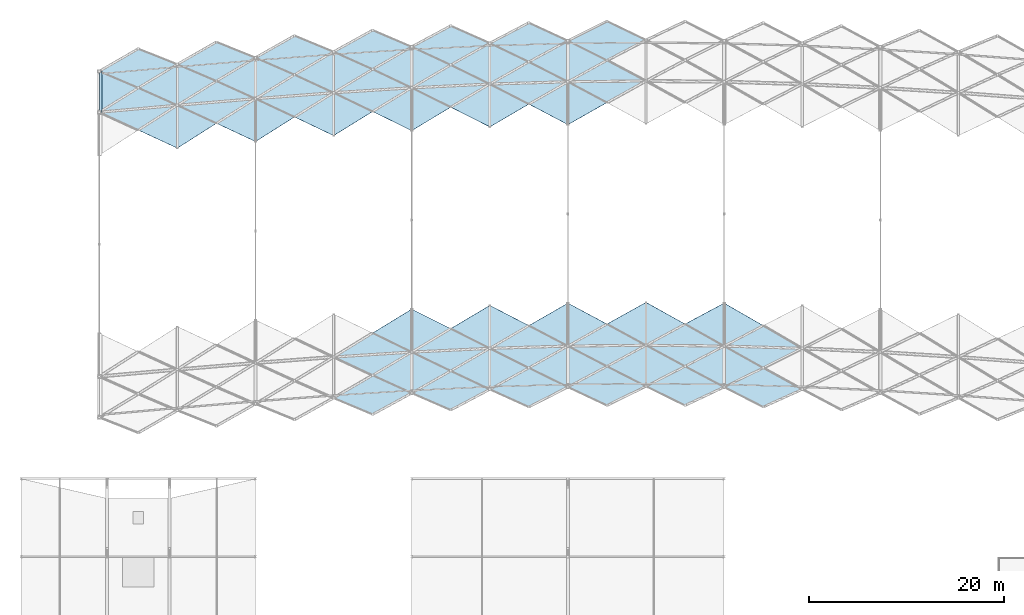
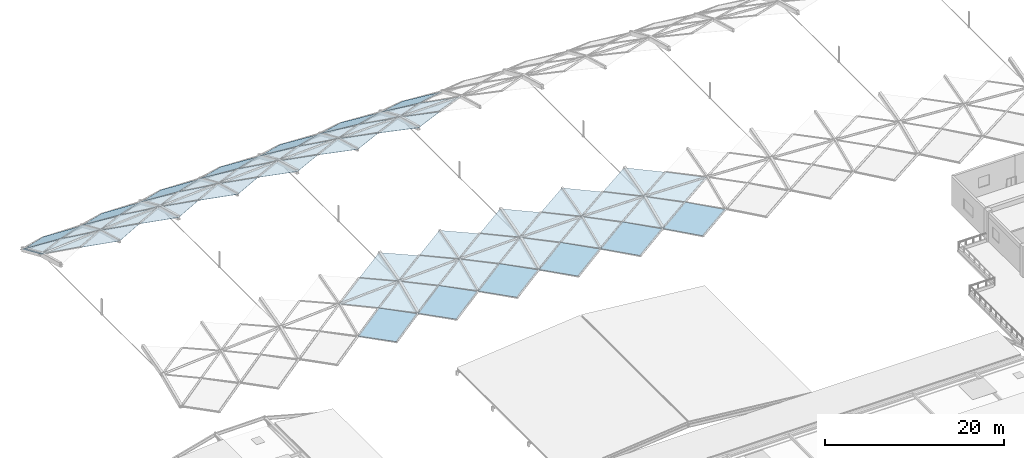
# One storey, part 32 of 54: 50 plates.
"""IFC4 building model written with IfcOpenShell, lengths in metres."""

import ifcopenshell
import ifcopenshell.guid

model = None  # the IFC model being written
_history = None  # IfcOwnerHistory: only IFC2X3 demands one
_inside = {}  # id of a spatial element -> (the spatial element, [elements in it])
_under = {}  # id of a project, library or spatial element -> (it, [spatial elements below it])
_declared = {}  # id of a project -> (the project, [libraries it declares])
_typed = {}  # id of a type object -> (the type object, [elements of that type])
_made_of = {}  # id of a material, layer set ... -> (it, [elements and type objects made of it])


def new_model(schema):
    """Start an empty IFC model of exactly this schema.

    Asked for "IFC4X3", IfcOpenShell would pick the latest addendum, in which some entities
    have other attributes; the version numbers below select the first issue.
    IFC2X3 requires an IfcOwnerHistory on every rooted entity: one is made here for all.
    """
    global model, _history
    if schema == "IFC4X3":
        model = ifcopenshell.file(schema_version=(4, 3, 0, 0))
    else:
        model = ifcopenshell.file(schema=schema)
    _inside.clear()
    _under.clear()
    _declared.clear()
    _typed.clear()
    _made_of.clear()
    _history = None
    if model.schema == "IFC2X3":
        org = make("IfcOrganization", Name="unknown")
        user = make(
            "IfcPersonAndOrganization",
            ThePerson=make("IfcPerson", FamilyName="unknown"),
            TheOrganization=org,
        )
        app = make(
            "IfcApplication",
            ApplicationDeveloper=org,
            Version="unknown",
            ApplicationFullName="unknown",
            ApplicationIdentifier="unknown",
        )
        _history = make(
            "IfcOwnerHistory",
            OwningUser=user,
            OwningApplication=app,
            ChangeAction="ADDED",
            CreationDate=0,
        )
    return model


def make(cls, **values):
    """One entity of the class cls with the attributes given. An attribute that is None is left unset."""
    return model.create_entity(
        cls, **{name: value for name, value in values.items() if value is not None}
    )


def rooted(cls, **values):
    """An entity with a GlobalId (a new one), such as an element, a storey or a relation."""
    return make(cls, GlobalId=ifcopenshell.guid.new(), OwnerHistory=_history, **values)


def si_unit(unit_type, name, prefix=None):
    """IfcSIUnit, for example si_unit("LENGTHUNIT", "METRE", prefix="MILLI")."""
    return make("IfcSIUnit", UnitType=unit_type, Prefix=prefix, Name=name)


def assignment(units):
    """IfcUnitAssignment: the units of a project."""
    return None if units is None else make("IfcUnitAssignment", Units=units)


def point(xyz):
    """IfcCartesianPoint."""
    return None if xyz is None else make("IfcCartesianPoint", Coordinates=xyz)


def direction(xyz):
    """IfcDirection."""
    return None if xyz is None else make("IfcDirection", DirectionRatios=xyz)


def frame(location, z_axis=None, x_axis=None):
    """IfcAxis2Placement3D, a coordinate frame: its origin and axes. An axis left out is left unset."""
    return make(
        "IfcAxis2Placement3D",
        Location=point(location),
        Axis=direction(z_axis),
        RefDirection=direction(x_axis),
    )


def origin():
    """The frame at (0, 0, 0) with its axes left unset."""
    return frame((0.0, 0.0, 0.0))


def place(relative_to, where):
    """IfcLocalPlacement: puts the frame where relative to a parent placement (None: the world)."""
    return make(
        "IfcLocalPlacement", PlacementRelTo=relative_to, RelativePlacement=where
    )


def context(
    kind, dimensions, precision=None, world=None, true_north=None, identifier=None
):
    """IfcGeometricRepresentationContext, for example the 3D "Model" context."""
    return make(
        "IfcGeometricRepresentationContext",
        ContextIdentifier=identifier,
        ContextType=kind,
        CoordinateSpaceDimension=dimensions,
        Precision=precision,
        WorldCoordinateSystem=world,
        TrueNorth=true_north,
    )


def subcontext(parent, identifier, kind, view, scale=None):
    """IfcGeometricRepresentationSubContext, for example "Body" below "Model"."""
    return make(
        "IfcGeometricRepresentationSubContext",
        ContextIdentifier=identifier,
        ContextType=kind,
        ParentContext=parent,
        TargetScale=scale,
        TargetView=view,
    )


def project(units=None, contexts=None):
    """IfcProject with its units and contexts."""
    return rooted(
        "IfcProject",
        Name="project",
        RepresentationContexts=contexts,
        UnitsInContext=assignment(units),
    )


def spatial(cls, under=None, at=None, **own):
    """A site, building, storey or space (cls), placed at a placement, below another one or the project."""
    s = rooted(cls, ObjectPlacement=at, **own)
    if under is not None:
        _under.setdefault(under.id(), (under, []))[1].append(s)
    return s


def polyline(points):
    """IfcPolyline through the points."""
    return make("IfcPolyline", Points=[point(p) for p in points])


def outline(outer, holes=None, kind="AREA"):
    """IfcArbitraryClosedProfileDef: a profile drawn as a closed curve; with holes, ...WithVoids."""
    if holes is None:
        return make("IfcArbitraryClosedProfileDef", ProfileType=kind, OuterCurve=outer)
    return make(
        "IfcArbitraryProfileDefWithVoids",
        ProfileType=kind,
        OuterCurve=outer,
        InnerCurves=holes,
    )


def extrude(swept, where, along, depth):
    """IfcExtrudedAreaSolid: the profile swept, set in the frame where, extruded along a direction by depth."""
    return make(
        "IfcExtrudedAreaSolid",
        SweptArea=swept,
        Position=where,
        ExtrudedDirection=direction(along),
        Depth=depth,
    )


def shape(context_of_items, identifier, shape_type, items):
    """IfcShapeRepresentation: the items that make up one representation, for example the "Body"."""
    return make(
        "IfcShapeRepresentation",
        ContextOfItems=context_of_items,
        RepresentationIdentifier=identifier,
        RepresentationType=shape_type,
        Items=items,
    )


def material(Name=None, Category=None):
    """IfcMaterial."""
    return make("IfcMaterial", Name=Name, Category=Category)


def layer(
    of_material, thickness, ventilated=None, Name=None, Category=None, Priority=None
):
    """IfcMaterialLayer: one layer of a wall or slab, of a material (None: an air gap)."""
    return make(
        "IfcMaterialLayer",
        Material=of_material,
        LayerThickness=thickness,
        IsVentilated=ventilated,
        Name=Name,
        Category=Category,
        Priority=Priority,
    )


def layer_set(layers, Name=None):
    """IfcMaterialLayerSet."""
    return make("IfcMaterialLayerSet", MaterialLayers=layers, LayerSetName=Name)


def made_of(thing, what):
    """Note that an element or type object is made of a material, layer set ...; save() writes the relation."""
    if what is not None:
        _made_of.setdefault(what.id(), (what, []))[1].append(thing)
    return thing


def type_object(cls, material=None, **own):
    """A type object (cls), such as IfcWallType, which elements share."""
    return made_of(rooted(cls, **own), material)


def element(
    cls,
    number,
    at=None,
    inside=None,
    cuts=None,
    type_object=None,
    material=None,
    context=None,
    identifier="Body",
    shape_type=None,
    held_by="IfcProductDefinitionShape",
    body=None,
    shapes=None,
    **own,
):
    """One element of the class cls, such as IfcWall. Its Tag is "e" and its number.

    at: its placement. inside: the storey or other place that contains it. cuts: it is an
    opening in that element (IfcRelVoidsElement). A single representation is given by context,
    identifier, shape_type and body (its items); several are given by shapes. held_by: the class
    of the entity that holds the representations. save() writes the other relations.
    """
    e = rooted(cls, Tag="e%d" % number, ObjectPlacement=at, **own)
    if body is not None:
        shapes = [shape(context, identifier, shape_type, body)]
    if shapes is not None:
        e.Representation = make(held_by, Representations=shapes)
    if inside is not None:
        _inside.setdefault(inside.id(), (inside, []))[1].append(e)
    if cuts is not None:
        rooted(
            "IfcRelVoidsElement", RelatingBuildingElement=cuts, RelatedOpeningElement=e
        )
    if type_object is not None:
        _typed.setdefault(type_object.id(), (type_object, []))[1].append(e)
    return made_of(e, material)


def aggregate(whole, parts):
    """IfcRelAggregates: a whole, such as a stair, and the parts it consists of."""
    return rooted("IfcRelAggregates", RelatingObject=whole, RelatedObjects=parts)


def save(model, path):
    """Write the relations noted so far, then the file.

    IfcRelAggregates (storeys below a building ...), IfcRelContainedInSpatialStructure (elements
    in a storey), IfcRelDefinesByType, IfcRelAssociatesMaterial and IfcRelDeclares: one each for
    every whole, place, type object, material and project.
    """
    for whole, parts in _under.values():
        aggregate(whole, parts)
    for where, things in _inside.values():
        rooted(
            "IfcRelContainedInSpatialStructure",
            RelatedElements=things,
            RelatingStructure=where,
        )
    for kind, things in _typed.values():
        rooted("IfcRelDefinesByType", RelatedObjects=things, RelatingType=kind)
    for what, things in _made_of.values():
        rooted("IfcRelAssociatesMaterial", RelatedObjects=things, RelatingMaterial=what)
    for by, libraries in _declared.values():
        rooted("IfcRelDeclares", RelatingContext=by, RelatedDefinitions=libraries)
    model.write(path)


model = new_model("IFC4")

# Units and contexts
model_context = context("Model", 3, precision=1e-05, world=origin(), true_north=direction((0.0, 1.0)))
body_context = subcontext(model_context, "Body", "Model", "MODEL_VIEW")
ifc_project = project(units=[si_unit("LENGTHUNIT", "METRE"), si_unit("AREAUNIT", "SQUARE_METRE"), si_unit("VOLUMEUNIT", "CUBIC_METRE"), si_unit("PLANEANGLEUNIT", "RADIAN"), si_unit("MASSUNIT", "GRAM", prefix="KILO")], contexts=[model_context])

# Site, building, storey
site_placement = place(None, origin())
site = spatial("IfcSite", under=ifc_project, at=site_placement, CompositionType="ELEMENT")
building_placement = place(site_placement, origin())
building = spatial("IfcBuilding", under=site, at=building_placement, Name="Kenh Van Central Station", CompositionType="ELEMENT")
storey_placement = place(building_placement, frame((0.0, 0.0, 15.0)))
storey = spatial("IfcBuildingStorey", under=building, at=storey_placement, Name="L03", CompositionType="ELEMENT", Elevation=15.0)

# Plates
ifc_material_1 = material(Name="White fluoropolymer structural steel S355", Category="steel")
ifc_layer_1 = layer(ifc_material_1, 0.010009765625, Name="White fluoropolymer structural steel S355")
ifc_layer_set_1 = layer_set([ifc_layer_1], Name="White fluoropolymer structural steel S355")
plate_type_1 = type_object("IfcPlateType", Name="PLT-FASCIA-SH2", PredefinedType="SHEET", material=ifc_layer_set_1)
plate_1_placement = place(storey_placement, frame((32.0, 101.5341796875, 4.069091796875), z_axis=(0.0, 0.401679525559, 0.91578030048), x_axis=(1.0, 0.0, 0.0)))
element("IfcPlate", 1, at=plate_1_placement, inside=storey, type_object=plate_type_1, Name="Vault portal arch trim plate 10", PredefinedType="SHEET", context=body_context, shape_type="SweptSolid", body=[
    extrude(outline(polyline([(0.0, 0.0), (0.260009765625, 0.0), (0.260009765625, 4.5822006220298945), (0.0, 4.5822006220298945), (0.0, 0.0)])), origin(), (0.0, 0.0, -1.0), 0.010009765625),
])
ifc_material_2 = material(Name="Double-glazed low-E laminated solar glass", Category="glass")
ifc_layer_2 = layer(ifc_material_2, 0.02197265625, Name="Double-glazed low-E laminated solar glass")
ifc_layer_set_2 = layer_set([ifc_layer_2], Name="Double-glazed low-E laminated solar glass")
plate_type_2 = type_object("IfcPlateType", Name="PLT-VAULT-GLZ1", PredefinedType="SHEET", material=ifc_layer_set_2)
plate_2_placement = place(storey_placement, frame((32.005859375, 101.5439453125, 4.065185546875), z_axis=(-0.059954180485, 0.40090789008, 0.914154450798), x_axis=(0.835514887609, 0.521255563503, -0.173803078515)))
element("IfcPlate", 2, at=plate_2_placement, inside=storey, type_object=plate_type_2, Name="Vault border triangle skylight pane 272", PredefinedType="SHEET", context=body_context, shape_type="SweptSolid", body=[
    extrude(outline(polyline([(0.0, 0.0), (4.76613617953965, -5.551115123125783e-16), (2.4963606635883204, 3.8178458369848465), (0.0, 0.0)])), origin(), (0.0, 0.0, -1.0), 0.02197265625),
])
ifc_layer_3 = layer(ifc_material_2, 0.02490234375, Name="Double-glazed low-E laminated solar glass")
ifc_layer_set_3 = layer_set([ifc_layer_3], Name="Double-glazed low-E laminated solar glass")
plate_type_3 = type_object("IfcPlateType", Name="PLT-VAULT-GLZ2", PredefinedType="SHEET", material=ifc_layer_set_3)
plate_3_placement = place(storey_placement, frame((32.01318359375, 101.52197265625, 4.03076171875), z_axis=(-0.029283647549, 0.328987883567, 0.943879992612), x_axis=(0.898604886758, -0.40490229968, 0.169007056682)))
element("IfcPlate", 3, at=plate_3_placement, inside=storey, type_object=plate_type_3, Name="Vault planar diamond skylight pane 008", PredefinedType="SHEET", context=body_context, shape_type="SweptSolid", body=[
    extrude(outline(polyline([(0.0, 0.0), (4.435311952340277, 8.326672684688674e-17), (6.87987445383926, 4.097454328628234), (2.4383043022981017, 4.099134209420794), (0.0, 0.0)])), origin(), (0.0, 0.0, -1.0), 0.02490234375),
])
plate_4_placement = place(storey_placement, frame((36.0126953125, 99.69287109375, 4.711181640625), z_axis=(-0.023097866136, 0.264496069629, 0.964110117015), x_axis=(0.898974779185, -0.416423095504, 0.13577979202)))
element("IfcPlate", 4, at=plate_4_placement, inside=storey, type_object=plate_type_3, Name="Vault planar diamond skylight pane 016", PredefinedType="SHEET", context=body_context, shape_type="SweptSolid", body=[
    extrude(outline(polyline([(0.0, 0.0), (4.434574323930114, 5.551115123125783e-17), (6.880237046994621, 4.094539854883175), (2.43934254302983, 4.100823503472111), (0.0, 0.0)])), origin(), (0.0, 0.0, -1.0), 0.02490234375),
])
plate_5_placement = place(storey_placement, frame((48.013916015625, 107.0927734375, 2.1796875), z_axis=(-0.03677527877, 0.484845987658, 0.873826039394), x_axis=(0.892852166757, -0.376802914637, 0.246646653815)))
element("IfcPlate", 5, at=plate_5_placement, inside=storey, type_object=plate_type_3, Name="Vault planar diamond skylight pane 047", PredefinedType="SHEET", context=body_context, shape_type="SweptSolid", body=[
    extrude(outline(polyline([(0.0, 0.0), (4.4622508051300915, -5.551115123125783e-17), (6.8934967445019355, 4.057519432377202), (2.4161549769538335, 4.070130398545812), (0.0, 0.0)])), origin(), (0.0, 0.0, -1.0), 0.02490234375),
])
plate_6_placement = place(storey_placement, frame((52.01318359375, 105.356201171875, 3.1953125), z_axis=(-0.028129124131, 0.401651435915, 0.915360517175), x_axis=(0.892419610807, -0.402448953176, 0.204014897334)))
element("IfcPlate", 6, at=plate_6_placement, inside=storey, type_object=plate_type_3, Name="Vault planar diamond skylight pane 055", PredefinedType="SHEET", context=body_context, shape_type="SweptSolid", body=[
    extrude(outline(polyline([(0.0, 0.0), (4.466055404433675, -1.1102230246251565e-16), (6.893199580127944, 4.051368468687019), (2.4125423399191708, 4.06946102314614), (0.0, 0.0)])), origin(), (0.0, 0.0, -1.0), 0.02490234375),
])
plate_7_placement = place(storey_placement, frame((56.010986328125, 76.47607421875, 4.028076171875), z_axis=(0.020829186535, -0.328897788357, 0.944135789917), x_axis=(0.891312626896, -0.421685897704, -0.166561714726)))
element("IfcPlate", 7, at=plate_7_placement, inside=storey, type_object=plate_type_3, Name="Vault planar diamond skylight pane 059", PredefinedType="SHEET", context=body_context, shape_type="SweptSolid", body=[
    extrude(outline(polyline([(0.0, 0.0), (4.476532494919367, 0.0), (6.896170751551151, 4.039274953160803), (2.4109491567633654, 4.064998268987513), (0.0, 0.0)])), origin(), (0.0, 0.0, -1.0), 0.02490234375),
])
plate_8_placement = place(storey_placement, frame((56.0126953125, 103.517578125, 4.032470703125), z_axis=(-0.020843379711, 0.329121901962, 0.944057374936), x_axis=(0.891139269135, -0.421964926521, 0.166782504454)))
element("IfcPlate", 8, at=plate_8_placement, inside=storey, type_object=plate_type_3, Name="Vault planar diamond skylight pane 064", PredefinedType="SHEET", context=body_context, shape_type="SweptSolid", body=[
    extrude(outline(polyline([(0.0, 0.0), (4.473567693157865, -1.1102230246251565e-16), (6.894647092202937, 4.041875141040278), (2.4064948619613062, 4.0640843071203), (0.0, 0.0)])), origin(), (0.0, 0.0, -1.0), 0.02490234375),
])
plate_9_placement = place(storey_placement, frame((60.0107421875, 74.61279296875, 3.190185546875), z_axis=(0.022425404079, -0.401445452741, 0.915608349528), x_axis=(0.888345920754, -0.412132470699, -0.202455801784)))
element("IfcPlate", 9, at=plate_9_placement, inside=storey, type_object=plate_type_3, Name="Vault planar diamond skylight pane 068", PredefinedType="SHEET", context=body_context, shape_type="SweptSolid", body=[
    extrude(outline(polyline([(0.0, 0.0), (4.492031850994452, 0.0), (6.901884636716954, 4.022470524996293), (2.401000536917747, 4.050262139555733), (0.0, 0.0)])), origin(), (0.0, 0.0, -1.0), 0.02490234375),
])
plate_10_placement = place(storey_placement, frame((60.012451171875, 101.59716796875, 4.712646484375), z_axis=(-0.014780295396, 0.264587534565, 0.964248401306), x_axis=(0.889245292567, -0.437464485093, 0.133669869195)))
element("IfcPlate", 10, at=plate_10_placement, inside=storey, type_object=plate_type_3, Name="Vault planar diamond skylight pane 074", PredefinedType="SHEET", context=body_context, shape_type="SweptSolid", body=[
    extrude(outline(polyline([(0.0, 0.0), (4.483646014407875, -1.942890293094024e-16), (6.897771245815064, 4.029520133144935), (2.398388348907144, 4.055859086128097), (0.0, 0.0)])), origin(), (0.0, 0.0, -1.0), 0.02490234375),
])
plate_11_placement = place(storey_placement, frame((64.010498046875, 72.80224609375, 2.173828125), z_axis=(0.023105393364, -0.484812589079, 0.874312812595), x_axis=(0.885091412896, -0.396715674922, -0.243371863799)))
element("IfcPlate", 11, at=plate_11_placement, inside=storey, type_object=plate_type_3, Name="Vault planar diamond skylight pane 078", PredefinedType="SHEET", context=body_context, shape_type="SweptSolid", body=[
    extrude(outline(polyline([(0.0, 0.0), (4.509101954233499, -1.6653345369377348e-16), (6.908752478872315, 4.003922530366462), (2.39087072997422, 4.033247552462886), (0.0, 0.0)])), origin(), (0.0, 0.0, -1.0), 0.02490234375),
])
plate_12_placement = place(storey_placement, frame((72.0126953125, 108.587890625, 2.181396484375), z_axis=(-0.014362297566, 0.485228812285, 0.874269251511), x_axis=(0.879321570708, -0.41011914569, 0.242065820853)))
element("IfcPlate", 12, at=plate_12_placement, inside=storey, type_object=plate_type_3, Name="Vault planar diamond skylight pane 102", PredefinedType="SHEET", context=body_context, shape_type="SweptSolid", body=[
    extrude(outline(polyline([(0.0, 0.0), (4.533690235939554, -5.551115123125783e-17), (6.9167115481345744, 3.979019596658029), (2.364989095861031, 4.006172568290165), (0.0, 0.0)])), origin(), (0.0, 0.0, -1.0), 0.02490234375),
])
plate_13_placement = place(storey_placement, frame((76.01171875, 79.68798828125, 4.7080078125), z_axis=(0.005275675062, -0.264350159947, 0.964412339297), x_axis=(0.877052951755, -0.462059386198, -0.131450536111)))
element("IfcPlate", 13, at=plate_13_placement, inside=storey, type_object=plate_type_3, Name="Vault planar diamond skylight pane 105", PredefinedType="SHEET", context=body_context, shape_type="SweptSolid", body=[
    extrude(outline(polyline([(0.0, 0.0), (4.547644072810094, -4.996003610813204e-16), (6.921888968271732, 3.966175894591555), (2.3569451983783534, 3.9997916980628374), (0.0, 0.0)])), origin(), (0.0, 0.0, -1.0), 0.02490234375),
])
plate_14_placement = place(storey_placement, frame((76.012451171875, 106.674072265625, 3.196533203125), z_axis=(-0.008019370891, 0.401817220308, 0.915684777177), x_axis=(0.876632250844, -0.437733954608, 0.199762062872)))
element("IfcPlate", 14, at=plate_14_placement, inside=storey, type_object=plate_type_3, Name="Vault planar diamond skylight pane 111", PredefinedType="SHEET", context=body_context, shape_type="SweptSolid", body=[
    extrude(outline(polyline([(0.0, 0.0), (4.548435722321075, 1.6653345369377348e-16), (6.922191519636323, 3.9651567653134476), (2.3555366296350098, 3.9958208709494487), (0.0, 0.0)])), origin(), (0.0, 0.0, -1.0), 0.02490234375),
])
plate_15_placement = place(storey_placement, frame((80.011962890625, 77.600341796875, 4.027099609375), z_axis=(0.003292795362, -0.328967375129, 0.944335546085), x_axis=(0.873453246524, -0.458852873708, -0.162890964838)))
element("IfcPlate", 15, at=plate_15_placement, inside=storey, type_object=plate_type_3, Name="Vault planar diamond skylight pane 115", PredefinedType="SHEET", context=body_context, shape_type="SweptSolid", body=[
    extrude(outline(polyline([(0.0, 0.0), (4.566106805732809, 2.7755575615628914e-17), (6.929882622313185, 3.949299398772694), (2.345992005546819, 3.9827045744988774), (0.0, 0.0)])), origin(), (0.0, 0.0, -1.0), 0.02490234375),
])
plate_16_placement = place(storey_placement, frame((80.01220703125, 104.641845703125, 4.033447265625), z_axis=(-0.003295351297, 0.329222726413, 0.944246544644), x_axis=(0.873392435475, -0.458911120574, 0.16305286587)))
element("IfcPlate", 16, at=plate_16_placement, inside=storey, type_object=plate_type_3, Name="Vault planar diamond skylight pane 120", PredefinedType="SHEET", context=body_context, shape_type="SweptSolid", body=[
    extrude(outline(polyline([(0.0, 0.0), (4.565586443705618, 1.1102230246251565e-16), (6.929392953641149, 3.950158502416457), (2.344890986022207, 3.9825768420482968), (0.0, 0.0)])), origin(), (0.0, 0.0, -1.0), 0.02490234375),
])
plate_17_placement = place(storey_placement, frame((84.011962890625, 75.529541015625, 3.189208984375), z_axis=(0.0, -0.401481812879, 0.915866995763), x_axis=(0.869968268237, -0.451621075645, -0.197973776785)))
element("IfcPlate", 17, at=plate_17_placement, inside=storey, type_object=plate_type_3, Name="Vault planar diamond skylight pane 123", PredefinedType="SHEET", context=body_context, shape_type="SweptSolid", body=[
    extrude(outline(polyline([(0.0, 0.0), (4.584117898297287, 1.1102230246251565e-16), (6.938931475414107, 3.9330636814722224), (2.3363806365037973, 3.965584108844571), (0.0, 0.0)])), origin(), (0.0, 0.0, -1.0), 0.02490234375),
])
plate_18_placement = place(storey_placement, frame((88.01220703125, 73.5, 2.173095703125), z_axis=(-0.004853816435, -0.48493633921, 0.874535984039), x_axis=(0.866708068843, -0.438262019996, -0.238208994856)))
element("IfcPlate", 18, at=plate_18_placement, inside=storey, type_object=plate_type_3, Name="Vault planar diamond skylight pane 131", PredefinedType="SHEET", context=body_context, shape_type="SweptSolid", body=[
    extrude(outline(polyline([(0.0, 0.0), (4.600798117548627, 1.6653345369377348e-16), (6.947916086341758, 3.9179835968547727), (2.3284467750749465, 3.9484691609828846), (0.0, 0.0)])), origin(), (0.0, 0.0, -1.0), 0.02490234375),
])
ifc_layer_4 = layer(ifc_material_2, 0.029052734375, Name="Double-glazed low-E laminated solar glass")
ifc_layer_set_4 = layer_set([ifc_layer_4], Name="Double-glazed low-E laminated solar glass")
plate_type_4 = type_object("IfcPlateType", Name="PLT-VAULT-GLZ4", PredefinedType="SHEET", material=ifc_layer_set_4)
plate_19_placement = place(storey_placement, frame((32.014404296875, 105.70361328125, 2.177978515625), z_axis=(-0.04314376325, 0.484699706113, 0.87361593998), x_axis=(0.896070183081, -0.36791944282, 0.24838178393)))
element("IfcPlate", 19, at=plate_19_placement, inside=storey, type_object=plate_type_4, Name="Vault planar diamond skylight pane 009", PredefinedType="SHEET", context=body_context, shape_type="SweptSolid", body=[
    extrude(outline(polyline([(0.0, 0.0), (4.445131789880064, -5.551115123125783e-17), (6.8859138529152695, 4.0872967699952865), (2.4304975519879317, 4.0860327415639635), (0.0, 0.0)])), origin(), (0.0, 0.0, -1.0), 0.029052734375),
])
plate_20_placement = place(storey_placement, frame((36.013671875, 104.01171875, 3.19384765625), z_axis=(-0.035058100835, 0.401453962239, 0.915207979515), x_axis=(0.897206783351, -0.390742788561, 0.205767006822)))
element("IfcPlate", 20, at=plate_20_placement, inside=storey, type_object=plate_type_4, Name="Vault planar diamond skylight pane 017", PredefinedType="SHEET", context=body_context, shape_type="SweptSolid", body=[
    extrude(outline(polyline([(0.0, 0.0), (4.441137099291596, -5.551115123125783e-17), (6.884022567458551, 4.088172175530941), (2.433282424002501, 4.092211911793348), (0.0, 0.0)])), origin(), (0.0, 0.0, -1.0), 0.029052734375),
])
plate_21_placement = place(storey_placement, frame((40.01318359375, 102.234130859375, 4.03125), z_axis=(-0.027814590633, 0.329001692963, 0.943919612348), x_axis=(0.897503486721, -0.407548924086, 0.168497376242)))
element("IfcPlate", 21, at=plate_21_placement, inside=storey, type_object=plate_type_4, Name="Vault planar diamond skylight pane 026", PredefinedType="SHEET", context=body_context, shape_type="SweptSolid", body=[
    extrude(outline(polyline([(0.0, 0.0), (4.4407590461785915, -1.6653345369377348e-16), (6.883737495811916, 4.084926027175943), (2.433120814504748, 4.093938147052582), (0.0, 0.0)])), origin(), (0.0, 0.0, -1.0), 0.029052734375),
])
plate_22_placement = place(storey_placement, frame((44.0126953125, 100.3916015625, 4.711669921875), z_axis=(-0.021341868912, 0.26450639505, 0.964147754034), x_axis=(0.897100490365, -0.420616223947, 0.135250516963)))
element("IfcPlate", 22, at=plate_22_placement, inside=storey, type_object=plate_type_4, Name="Vault planar diamond skylight pane 036", PredefinedType="SHEET", context=body_context, shape_type="SweptSolid", body=[
    extrude(outline(polyline([(0.0, 0.0), (4.443842404901723, -8.326672684688674e-17), (6.884650550270023, 4.078419961146511), (2.4308080511372845, 4.0921138738686125), (0.0, 0.0)])), origin(), (0.0, 0.0, -1.0), 0.029052734375),
])
plate_23_placement = place(storey_placement, frame((56.013671875, 107.69970703125, 2.180419921875), z_axis=(-0.030731733542, 0.485026925039, 0.873959062279), x_axis=(0.889353697909, -0.385795692271, 0.24538069166)))
element("IfcPlate", 23, at=plate_23_placement, inside=storey, type_object=plate_type_4, Name="Vault planar diamond skylight pane 065", PredefinedType="SHEET", context=body_context, shape_type="SweptSolid", body=[
    extrude(outline(polyline([(0.0, 0.0), (4.480352651222495, -3.885780586188048e-16), (6.898581110277814, 4.035187548345755), (2.4011132278619196, 4.0535653024720535), (0.0, 0.0)])), origin(), (0.0, 0.0, -1.0), 0.029052734375),
])
plate_24_placement = place(storey_placement, frame((60.011474609375, 78.9306640625, 4.70849609375), z_axis=(0.014760320932, -0.264374827212, 0.964307048436), x_axis=(0.889328044297, -0.437343561662, -0.133514938113)))
element("IfcPlate", 24, at=plate_24_placement, inside=storey, type_object=plate_type_4, Name="Vault planar diamond skylight pane 069", PredefinedType="SHEET", context=body_context, shape_type="SweptSolid", body=[
    extrude(outline(polyline([(0.0, 0.0), (4.485424457255194, 5.551115123125783e-17), (6.898591931327232, 4.028087949721493), (2.400909188045558, 4.0562149836808725), (0.0, 0.0)])), origin(), (0.0, 0.0, -1.0), 0.029052734375),
])
plate_25_placement = place(storey_placement, frame((60.012939453125, 105.91650390625, 3.19580078125), z_axis=(-0.02246814865, 0.401708999835, 0.915491704904), x_axis=(0.888130448124, -0.412441321463, 0.202771949402)))
element("IfcPlate", 25, at=plate_25_placement, inside=storey, type_object=plate_type_4, Name="Vault planar diamond skylight pane 075", PredefinedType="SHEET", context=body_context, shape_type="SweptSolid", body=[
    extrude(outline(polyline([(0.0, 0.0), (4.4881762092845365, -1.6653345369377348e-16), (6.900077905395875, 4.025568981161021), (2.395230789980994, 4.0493219675463825), (0.0, 0.0)])), origin(), (0.0, 0.0, -1.0), 0.029052734375),
])
plate_26_placement = place(storey_placement, frame((64.01123046875, 76.982666015625, 4.027587890625), z_axis=(0.015676217949, -0.328928735007, 0.944224625541), x_axis=(0.886241774884, -0.432672546658, -0.165438761538)))
element("IfcPlate", 26, at=plate_26_placement, inside=storey, type_object=plate_type_4, Name="Vault planar diamond skylight pane 079", PredefinedType="SHEET", context=body_context, shape_type="SweptSolid", body=[
    extrude(outline(polyline([(0.0, 0.0), (4.501593418775685, -8.326672684688674e-17), (6.904259675367561, 4.011664838766313), (2.3903870085462997, 4.041491426088335), (0.0, 0.0)])), origin(), (0.0, 0.0, -1.0), 0.029052734375),
])
plate_27_placement = place(storey_placement, frame((64.0126953125, 104.024169921875, 4.032958984375), z_axis=(-0.015688863397, 0.329183993772, 0.944135455223), x_axis=(0.886090194807, -0.432898485968, 0.165659492679)))
element("IfcPlate", 27, at=plate_27_placement, inside=storey, type_object=plate_type_4, Name="Vault planar diamond skylight pane 084", PredefinedType="SHEET", context=body_context, shape_type="SweptSolid", body=[
    extrude(outline(polyline([(0.0, 0.0), (4.499334822604818, -2.7755575615628914e-17), (6.902748445186935, 4.013779495448759), (2.3867279087851307, 4.040952690427887), (0.0, 0.0)])), origin(), (0.0, 0.0, -1.0), 0.029052734375),
])
plate_28_placement = place(storey_placement, frame((68.01123046875, 75.0595703125, 3.189697265625), z_axis=(0.015607647817, -0.40149752297, 0.915727110213), x_axis=(0.882938589571, -0.424256183946, -0.201062521198)))
element("IfcPlate", 28, at=plate_28_placement, inside=storey, type_object=plate_type_4, Name="Vault planar diamond skylight pane 087", PredefinedType="SHEET", context=body_context, shape_type="SweptSolid", body=[
    extrude(outline(polyline([(0.0, 0.0), (4.518435715306743, -5.551115123125783e-17), (6.910839445232043, 3.994270200774044), (2.379343378708447, 4.0250862513832395), (0.0, 0.0)])), origin(), (0.0, 0.0, -1.0), 0.029052734375),
])
plate_29_placement = place(storey_placement, frame((68.012451171875, 102.0439453125, 4.712890625), z_axis=(-0.010286360122, 0.26460244002, 0.964302721935), x_axis=(0.883532580857, -0.449183975962, 0.132679818747)))
element("IfcPlate", 29, at=plate_29_placement, inside=storey, type_object=plate_type_4, Name="Vault planar diamond skylight pane 091", PredefinedType="SHEET", context=body_context, shape_type="SweptSolid", body=[
    extrude(outline(polyline([(0.0, 0.0), (4.512913149013455, -2.7755575615628914e-17), (6.90763238148113, 3.999327024512375), (2.377308537916716, 4.029576330474428), (0.0, 0.0)])), origin(), (0.0, 0.0, -1.0), 0.029052734375),
])
plate_30_placement = place(storey_placement, frame((72.010986328125, 73.18359375, 2.17333984375), z_axis=(0.014337492224, -0.484892205949, 0.874456393954), x_axis=(0.879538246146, -0.409871662119, -0.241697526174)))
element("IfcPlate", 30, at=plate_30_placement, inside=storey, type_object=plate_type_4, Name="Vault planar diamond skylight pane 095", PredefinedType="SHEET", context=body_context, shape_type="SweptSolid", body=[
    extrude(outline(polyline([(0.0, 0.0), (4.536459893922377, 2.7755575615628914e-16), (6.918598260736016, 3.9757236424893785), (2.3695124895109716, 4.007284402858062), (0.0, 0.0)])), origin(), (0.0, 0.0, -1.0), 0.029052734375),
])
plate_31_placement = place(storey_placement, frame((80.01220703125, 108.824462890625, 2.181640625), z_axis=(-0.004857187545, 0.48527314101, 0.874349121543), x_axis=(0.873197034122, -0.424059880833, 0.240208569932)))
element("IfcPlate", 31, at=plate_31_placement, inside=storey, type_object=plate_type_4, Name="Vault planar diamond skylight pane 121", PredefinedType="SHEET", context=body_context, shape_type="SweptSolid", body=[
    extrude(outline(polyline([(0.0, 0.0), (4.566608212349451, -2.7755575615628914e-16), (6.930829961845959, 3.948129867171033), (2.3464847854620507, 3.9779058876856603), (0.0, 0.0)])), origin(), (0.0, 0.0, -1.0), 0.029052734375),
])
plate_32_placement = place(storey_placement, frame((84.011962890625, 79.847412109375, 4.7080078125), z_axis=(0.0, -0.26435383882, 0.9644257607), x_axis=(0.869932519981, -0.475626597258, -0.130371586859)))
element("IfcPlate", 32, at=plate_32_placement, inside=storey, type_object=plate_type_4, Name="Vault planar diamond skylight pane 124", PredefinedType="SHEET", context=body_context, shape_type="SweptSolid", body=[
    extrude(outline(polyline([(0.0, 0.0), (4.5843062740803395, -1.6653345369377348e-16), (6.9386463446719455, 3.9335666826150364), (2.3352369270299365, 3.9672638251680663), (0.0, 0.0)])), origin(), (0.0, 0.0, -1.0), 0.029052734375),
])
plate_33_placement = place(storey_placement, frame((88.01220703125, 77.68017578125, 4.027099609375), z_axis=(-0.003292795362, -0.328967375129, 0.944335546085), x_axis=(0.86635913419, -0.472554822235, -0.161597619373)))
element("IfcPlate", 33, at=plate_33_placement, inside=storey, type_object=plate_type_4, Name="Vault planar diamond skylight pane 132", PredefinedType="SHEET", context=body_context, shape_type="SweptSolid", body=[
    extrude(outline(polyline([(0.0, 0.0), (4.602651610995187, 2.498001805406602e-16), (6.947659175228484, 3.91794217479637), (2.325477496446107, 3.9503573896252457), (0.0, 0.0)])), origin(), (0.0, 0.0, -1.0), 0.029052734375),
])
plate_34_placement = place(storey_placement, frame((92.012451171875, 75.529296875, 3.189453125), z_axis=(-0.008001174195, -0.401533580574, 0.915809349637), x_axis=(0.863004635199, -0.465407596105, -0.196516587371)))
element("IfcPlate", 34, at=plate_34_placement, inside=storey, type_object=plate_type_4, Name="Vault planar diamond skylight pane 141", PredefinedType="SHEET", context=body_context, shape_type="SweptSolid", body=[
    extrude(outline(polyline([(0.0, 0.0), (4.619975240422977, -1.1102230246251565e-16), (6.957358832281894, 3.9036109603722027), (2.3174143660760063, 3.9338592724568127), (0.0, 0.0)])), origin(), (0.0, 0.0, -1.0), 0.029052734375),
])
plate_35_placement = place(storey_placement, frame((96.012939453125, 73.41943359375, 2.17333984375), z_axis=(-0.014337492224, -0.484892205949, 0.874456393954), x_axis=(0.860041904916, -0.452063986483, -0.236571498525)))
element("IfcPlate", 35, at=plate_35_placement, inside=storey, type_object=plate_type_4, Name="Vault planar diamond skylight pane 151", PredefinedType="SHEET", context=body_context, shape_type="SweptSolid", body=[
    extrude(outline(polyline([(0.0, 0.0), (4.63475583823944, 2.7755575615628914e-16), (6.966372764780446, 3.8914047434099808), (2.3110332587567752, 3.9184566748245735), (0.0, 0.0)])), origin(), (0.0, 0.0, -1.0), 0.029052734375),
])
ifc_layer_5 = layer(ifc_material_2, 0.034912109375, Name="Double-glazed low-E laminated solar glass")
ifc_layer_set_5 = layer_set([ifc_layer_5], Name="Double-glazed low-E laminated solar glass")
plate_type_5 = type_object("IfcPlateType", Name="PLT-VAULT-GLZ6", PredefinedType="SHEET", material=ifc_layer_set_5)
plate_36_placement = place(storey_placement, frame((40.014404296875, 106.416015625, 2.178955078125), z_axis=(-0.040986942055, 0.484809339945, 0.873658957765), x_axis=(0.895103435438, -0.370715215405, 0.247709646431)))
element("IfcPlate", 36, at=plate_36_placement, inside=storey, type_object=plate_type_5, Name="Vault planar diamond skylight pane 027", PredefinedType="SHEET", context=body_context, shape_type="SweptSolid", body=[
    extrude(outline(polyline([(0.0, 0.0), (4.449937576487437, 1.1102230246251565e-16), (6.889432082715969, 4.0753144831276815), (2.4259001033690106, 4.081276911404928), (0.0, 0.0)])), origin(), (0.0, 0.0, -1.0), 0.034912109375),
])
plate_37_placement = place(storey_placement, frame((44.013427734375, 104.71044921875, 3.194580078125), z_axis=(-0.032408349188, 0.401509582089, 0.915281243331), x_axis=(0.895490807098, -0.395054571669, 0.205007560366)))
element("IfcPlate", 37, at=plate_37_placement, inside=storey, type_object=plate_type_5, Name="Vault planar diamond skylight pane 037", PredefinedType="SHEET", context=body_context, shape_type="SweptSolid", body=[
    extrude(outline(polyline([(0.0, 0.0), (4.450194743146817, 1.1102230246251565e-16), (6.8881654693338055, 4.072519286778266), (2.4258283577551913, 4.083819448135776), (0.0, 0.0)])), origin(), (0.0, 0.0, -1.0), 0.034912109375),
])
plate_38_placement = place(storey_placement, frame((48.012939453125, 102.91064453125, 4.031982421875), z_axis=(-0.024961344329, 0.329090847152, 0.943968296931), x_axis=(0.895001071369, -0.413315965926, 0.167758739145)))
element("IfcPlate", 38, at=plate_38_placement, inside=storey, type_object=plate_type_5, Name="Vault planar diamond skylight pane 046", PredefinedType="SHEET", context=body_context, shape_type="SweptSolid", body=[
    extrude(outline(polyline([(0.0, 0.0), (4.453717435816078, 1.942890293094024e-16), (6.888546884291357, 4.06591725610559), (2.4224167064796167, 4.08208141661207), (0.0, 0.0)])), origin(), (0.0, 0.0, -1.0), 0.034912109375),
])
plate_39_placement = place(storey_placement, frame((52.0126953125, 101.037109375, 4.712158203125), z_axis=(-0.018524438012, 0.264507600458, 0.964205670226), x_axis=(0.893793929263, -0.427823226968, 0.134535119871)))
element("IfcPlate", 39, at=plate_39_placement, inside=storey, type_object=plate_type_5, Name="Vault planar diamond skylight pane 054", PredefinedType="SHEET", context=body_context, shape_type="SweptSolid", body=[
    extrude(outline(polyline([(0.0, 0.0), (4.460281918351007, -2.7755575615628914e-17), (6.889987335383816, 4.056828988113512), (2.4163102395841385, 4.077012452555102), (0.0, 0.0)])), origin(), (0.0, 0.0, -1.0), 0.034912109375),
])
plate_40_placement = place(storey_placement, frame((56.010009765625, 72.29541015625, 2.174560546875), z_axis=(0.030742623135, -0.484776521844, 0.874097600381), x_axis=(0.88973712077, -0.385200314802, -0.244925648718)))
element("IfcPlate", 40, at=plate_40_placement, inside=storey, type_object=plate_type_5, Name="Vault planar diamond skylight pane 058", PredefinedType="SHEET", context=body_context, shape_type="SweptSolid", body=[
    extrude(outline(polyline([(0.0, 0.0), (4.48665406129814, 5.551115123125783e-16), (6.9020000023385, 4.029336907324886), (2.4109031194449817, 4.055167177064936), (0.0, 0.0)])), origin(), (0.0, 0.0, -1.0), 0.034912109375),
])
plate_41_placement = place(storey_placement, frame((64.01318359375, 108.20654296875, 2.180908203125), z_axis=(-0.023147091959, 0.485126112093, 0.874137785191), x_axis=(0.884786528651, -0.397119642272, 0.243821222289)))
element("IfcPlate", 41, at=plate_41_placement, inside=storey, type_object=plate_type_5, Name="Vault planar diamond skylight pane 085", PredefinedType="SHEET", context=body_context, shape_type="SweptSolid", body=[
    extrude(outline(polyline([(0.0, 0.0), (4.504586762266035, -5.551115123125783e-17), (6.906226667295871, 4.00827765044246), (2.38368704274849, 4.031924183415725), (0.0, 0.0)])), origin(), (0.0, 0.0, -1.0), 0.034912109375),
])
plate_42_placement = place(storey_placement, frame((68.011474609375, 79.377197265625, 4.708251953125), z_axis=(0.010275838675, -0.264339881512, 0.964374841118), x_axis=(0.883634375746, -0.449037145195, -0.132498800882)))
element("IfcPlate", 42, at=plate_42_placement, inside=storey, type_object=plate_type_5, Name="Vault planar diamond skylight pane 088", PredefinedType="SHEET", context=body_context, shape_type="SweptSolid", body=[
    extrude(outline(polyline([(0.0, 0.0), (4.514326060553776, 2.7755575615628914e-17), (6.908705537407195, 3.997959988790011), (2.379637767231915, 4.029962912569233), (0.0, 0.0)])), origin(), (0.0, 0.0, -1.0), 0.034912109375),
])
plate_43_placement = place(storey_placement, frame((68.0126953125, 106.36328125, 3.1962890625), z_axis=(-0.015617906656, 0.401761425559, 0.915611182722), x_axis=(0.882766958591, -0.424491039683, 0.201320277293)))
element("IfcPlate", 43, at=plate_43_placement, inside=storey, type_object=plate_type_5, Name="Vault planar diamond skylight pane 092", PredefinedType="SHEET", context=body_context, shape_type="SweptSolid", body=[
    extrude(outline(polyline([(0.0, 0.0), (4.515996587660635, 0.0), (6.909397684756212, 3.996763679335087), (2.3754135735706936, 4.024342590390013), (0.0, 0.0)])), origin(), (0.0, 0.0, -1.0), 0.034912109375),
])
plate_44_placement = place(storey_placement, frame((72.011474609375, 77.36376953125, 4.02734375), z_axis=(0.009736703302, -0.328953564492, 0.944295901197), x_axis=(0.880198147742, -0.445297550425, -0.164199002121)))
element("IfcPlate", 44, at=plate_44_placement, inside=storey, type_object=plate_type_5, Name="Vault planar diamond skylight pane 096", PredefinedType="SHEET", context=body_context, shape_type="SweptSolid", body=[
    extrude(outline(polyline([(0.0, 0.0), (4.531949620661595, 8.326672684688674e-17), (6.915398133659622, 3.9813018277523016), (2.3682407422757477, 4.013627952779558), (0.0, 0.0)])), origin(), (0.0, 0.0, -1.0), 0.034912109375),
])
plate_45_placement = place(storey_placement, frame((72.012451171875, 104.4052734375, 4.033203125), z_axis=(-0.009733085729, 0.329161674621, 0.944223415831), x_axis=(0.880085474148, -0.445460128323, 0.164361894211)))
element("IfcPlate", 45, at=plate_45_placement, inside=storey, type_object=plate_type_5, Name="Vault planar diamond skylight pane 101", PredefinedType="SHEET", context=body_context, shape_type="SweptSolid", body=[
    extrude(outline(polyline([(0.0, 0.0), (4.530310809660153, 2.498001805406602e-16), (6.914354948969567, 3.9826098863287513), (2.3658206575038645, 4.013309868562532), (0.0, 0.0)])), origin(), (0.0, 0.0, -1.0), 0.034912109375),
])
plate_46_placement = place(storey_placement, frame((76.011474609375, 75.370361328125, 3.189453125), z_axis=(0.008001174195, -0.401533580574, 0.915809349637), x_axis=(0.876726726655, -0.437644431934, -0.199543473875)))
element("IfcPlate", 46, at=plate_46_placement, inside=storey, type_object=plate_type_5, Name="Vault planar diamond skylight pane 104", PredefinedType="SHEET", context=body_context, shape_type="SweptSolid", body=[
    extrude(outline(polyline([(0.0, 0.0), (4.54989456860588, 0.0), (6.923280184235192, 3.9637371181304664), (2.3576925263010855, 3.9964090833250063), (0.0, 0.0)])), origin(), (0.0, 0.0, -1.0), 0.034912109375),
])
plate_47_placement = place(storey_placement, frame((76.01220703125, 102.354736328125, 4.713134765625), z_axis=(-0.005272816272, 0.264612761281, 0.964340336176), x_axis=(0.876984948068, -0.462144074286, 0.131606441574)))
element("IfcPlate", 47, at=plate_47_placement, inside=storey, type_object=plate_type_5, Name="Vault planar diamond skylight pane 110", PredefinedType="SHEET", context=body_context, shape_type="SweptSolid", body=[
    extrude(outline(polyline([(0.0, 0.0), (4.54688393371068, -2.7755575615628914e-17), (6.921445913339068, 3.9669392382277313), (2.355576806052849, 3.999558166889612), (0.0, 0.0)])), origin(), (0.0, 0.0, -1.0), 0.034912109375),
])
plate_48_placement = place(storey_placement, frame((80.01171875, 73.420166015625, 2.173095703125), z_axis=(0.004853816435, -0.48493633921, 0.874535984039), x_axis=(0.873292650656, -0.424003731204, -0.239959959649)))
element("IfcPlate", 48, at=plate_48_placement, inside=storey, type_object=plate_type_5, Name="Vault planar diamond skylight pane 114", PredefinedType="SHEET", context=body_context, shape_type="SweptSolid", body=[
    extrude(outline(polyline([(0.0, 0.0), (4.567226535289732, 1.1102230246251565e-16), (6.931597089071111, 3.946782892793892), (2.3478137998442232, 3.97846659513651), (0.0, 0.0)])), origin(), (0.0, 0.0, -1.0), 0.034912109375),
])
plate_49_placement = place(storey_placement, frame((92.01220703125, 79.84716796875, 4.7080078125), z_axis=(-0.005275675062, -0.264350159947, 0.964412339297), x_axis=(0.86263747796, -0.489011765026, -0.129321596363)))
element("IfcPlate", 49, at=plate_49_placement, inside=storey, type_object=plate_type_5, Name="Vault planar diamond skylight pane 142", PredefinedType="SHEET", context=body_context, shape_type="SweptSolid", body=[
    extrude(outline(polyline([(0.0, 0.0), (4.622509064400498, 1.3877787807814457e-16), (6.958301288021817, 3.9019407095745255), (2.315834994630126, 3.9340500660487114), (0.0, 0.0)])), origin(), (0.0, 0.0, -1.0), 0.034912109375),
])
plate_50_placement = place(storey_placement, frame((96.012451171875, 77.599853515625, 4.02734375), z_axis=(-0.009736703302, -0.328953564492, 0.944295901197), x_axis=(0.859240562081, -0.48578573802, -0.160367930743)))
element("IfcPlate", 50, at=plate_50_placement, inside=storey, type_object=plate_type_5, Name="Vault planar diamond skylight pane 152", PredefinedType="SHEET", context=body_context, shape_type="SweptSolid", body=[
    extrude(outline(polyline([(0.0, 0.0), (4.640214548679438, -1.1102230246251565e-16), (6.968052727502852, 3.8884105721267224), (2.307913858262105, 3.918063162229265), (0.0, 0.0)])), origin(), (0.0, 0.0, -1.0), 0.034912109375),
])

save(model, "model.ifc")
